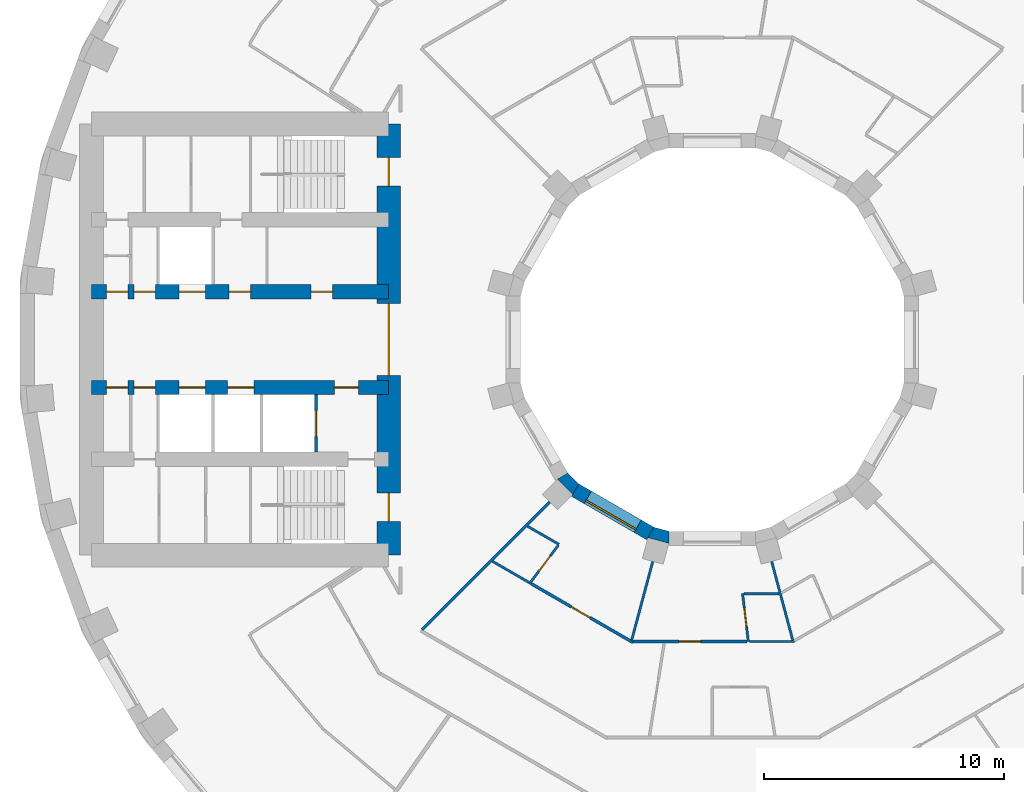
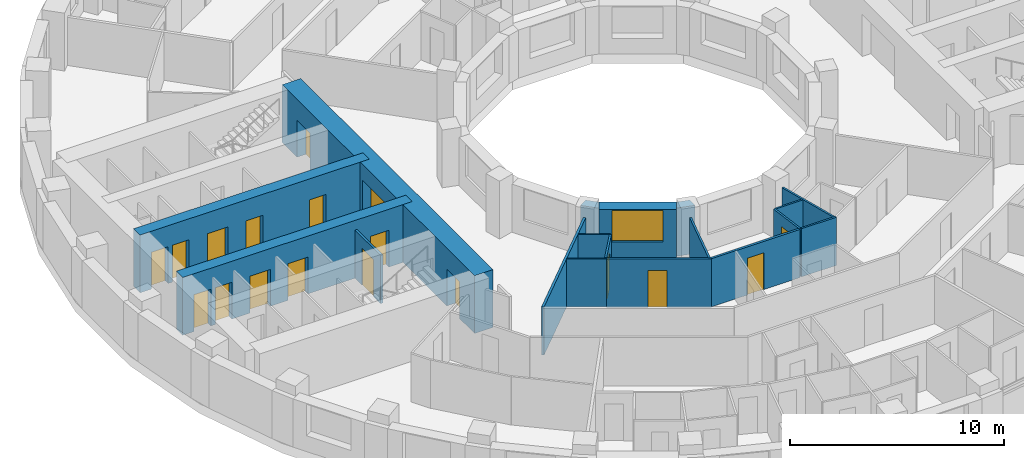
# One storey, part 7 of 16: 18 doors, 18 walls, 1 window, 19 openings.
"""IFC4 building model written with IfcOpenShell, lengths in metres."""

import ifcopenshell
import ifcopenshell.guid

model = None  # the IFC model being written
_history = None  # IfcOwnerHistory: only IFC2X3 demands one
_inside = {}  # id of a spatial element -> (the spatial element, [elements in it])
_under = {}  # id of a project, library or spatial element -> (it, [spatial elements below it])
_declared = {}  # id of a project -> (the project, [libraries it declares])
_typed = {}  # id of a type object -> (the type object, [elements of that type])
_made_of = {}  # id of a material, layer set ... -> (it, [elements and type objects made of it])


def new_model(schema):
    """Start an empty IFC model of exactly this schema.

    Asked for "IFC4X3", IfcOpenShell would pick the latest addendum, in which some entities
    have other attributes; the version numbers below select the first issue.
    IFC2X3 requires an IfcOwnerHistory on every rooted entity: one is made here for all.
    """
    global model, _history
    if schema == "IFC4X3":
        model = ifcopenshell.file(schema_version=(4, 3, 0, 0))
    else:
        model = ifcopenshell.file(schema=schema)
    _inside.clear()
    _under.clear()
    _declared.clear()
    _typed.clear()
    _made_of.clear()
    _history = None
    if model.schema == "IFC2X3":
        org = make("IfcOrganization", Name="unknown")
        user = make(
            "IfcPersonAndOrganization",
            ThePerson=make("IfcPerson", FamilyName="unknown"),
            TheOrganization=org,
        )
        app = make(
            "IfcApplication",
            ApplicationDeveloper=org,
            Version="unknown",
            ApplicationFullName="unknown",
            ApplicationIdentifier="unknown",
        )
        _history = make(
            "IfcOwnerHistory",
            OwningUser=user,
            OwningApplication=app,
            ChangeAction="ADDED",
            CreationDate=0,
        )
    return model


def make(cls, **values):
    """One entity of the class cls with the attributes given. An attribute that is None is left unset."""
    return model.create_entity(
        cls, **{name: value for name, value in values.items() if value is not None}
    )


def rooted(cls, **values):
    """An entity with a GlobalId (a new one), such as an element, a storey or a relation."""
    return make(cls, GlobalId=ifcopenshell.guid.new(), OwnerHistory=_history, **values)


def si_unit(unit_type, name, prefix=None):
    """IfcSIUnit, for example si_unit("LENGTHUNIT", "METRE", prefix="MILLI")."""
    return make("IfcSIUnit", UnitType=unit_type, Prefix=prefix, Name=name)


def assignment(units):
    """IfcUnitAssignment: the units of a project."""
    return None if units is None else make("IfcUnitAssignment", Units=units)


def point(xyz):
    """IfcCartesianPoint."""
    return None if xyz is None else make("IfcCartesianPoint", Coordinates=xyz)


def direction(xyz):
    """IfcDirection."""
    return None if xyz is None else make("IfcDirection", DirectionRatios=xyz)


def frame(location, z_axis=None, x_axis=None):
    """IfcAxis2Placement3D, a coordinate frame: its origin and axes. An axis left out is left unset."""
    return make(
        "IfcAxis2Placement3D",
        Location=point(location),
        Axis=direction(z_axis),
        RefDirection=direction(x_axis),
    )


def frame_2d(location, x_axis=None):
    """IfcAxis2Placement2D, a coordinate frame in the plane: its origin and x axis."""
    return make(
        "IfcAxis2Placement2D", Location=point(location), RefDirection=direction(x_axis)
    )


def origin():
    """The frame at (0, 0, 0) with its axes left unset."""
    return frame((0.0, 0.0, 0.0))


def place(relative_to, where):
    """IfcLocalPlacement: puts the frame where relative to a parent placement (None: the world)."""
    return make(
        "IfcLocalPlacement", PlacementRelTo=relative_to, RelativePlacement=where
    )


def context(
    kind, dimensions, precision=None, world=None, true_north=None, identifier=None
):
    """IfcGeometricRepresentationContext, for example the 3D "Model" context."""
    return make(
        "IfcGeometricRepresentationContext",
        ContextIdentifier=identifier,
        ContextType=kind,
        CoordinateSpaceDimension=dimensions,
        Precision=precision,
        WorldCoordinateSystem=world,
        TrueNorth=true_north,
    )


def subcontext(parent, identifier, kind, view, scale=None):
    """IfcGeometricRepresentationSubContext, for example "Body" below "Model"."""
    return make(
        "IfcGeometricRepresentationSubContext",
        ContextIdentifier=identifier,
        ContextType=kind,
        ParentContext=parent,
        TargetScale=scale,
        TargetView=view,
    )


def project(units=None, contexts=None):
    """IfcProject with its units and contexts."""
    return rooted(
        "IfcProject",
        Name="project",
        RepresentationContexts=contexts,
        UnitsInContext=assignment(units),
    )


def spatial(cls, under=None, at=None, **own):
    """A site, building, storey or space (cls), placed at a placement, below another one or the project."""
    s = rooted(cls, ObjectPlacement=at, **own)
    if under is not None:
        _under.setdefault(under.id(), (under, []))[1].append(s)
    return s


def polyline(points):
    """IfcPolyline through the points."""
    return make("IfcPolyline", Points=[point(p) for p in points])


def profile(cls, at=None, kind="AREA", **sizes):
    """A parametric profile (cls). Its sizes go by their IFC names, for example OverallWidth=200.0."""
    return make(cls, ProfileType=kind, Position=at, **sizes)


def rectangle(**sizes):
    """IfcRectangleProfileDef."""
    return profile("IfcRectangleProfileDef", **sizes)


def outline(outer, holes=None, kind="AREA"):
    """IfcArbitraryClosedProfileDef: a profile drawn as a closed curve; with holes, ...WithVoids."""
    if holes is None:
        return make("IfcArbitraryClosedProfileDef", ProfileType=kind, OuterCurve=outer)
    return make(
        "IfcArbitraryProfileDefWithVoids",
        ProfileType=kind,
        OuterCurve=outer,
        InnerCurves=holes,
    )


def extrude(swept, where, along, depth):
    """IfcExtrudedAreaSolid: the profile swept, set in the frame where, extruded along a direction by depth."""
    return make(
        "IfcExtrudedAreaSolid",
        SweptArea=swept,
        Position=where,
        ExtrudedDirection=direction(along),
        Depth=depth,
    )


def shape(context_of_items, identifier, shape_type, items):
    """IfcShapeRepresentation: the items that make up one representation, for example the "Body"."""
    return make(
        "IfcShapeRepresentation",
        ContextOfItems=context_of_items,
        RepresentationIdentifier=identifier,
        RepresentationType=shape_type,
        Items=items,
    )


def material(Name=None, Category=None):
    """IfcMaterial."""
    return make("IfcMaterial", Name=Name, Category=Category)


def layer(
    of_material, thickness, ventilated=None, Name=None, Category=None, Priority=None
):
    """IfcMaterialLayer: one layer of a wall or slab, of a material (None: an air gap)."""
    return make(
        "IfcMaterialLayer",
        Material=of_material,
        LayerThickness=thickness,
        IsVentilated=ventilated,
        Name=Name,
        Category=Category,
        Priority=Priority,
    )


def layer_set(layers, Name=None):
    """IfcMaterialLayerSet."""
    return make("IfcMaterialLayerSet", MaterialLayers=layers, LayerSetName=Name)


def made_of(thing, what):
    """Note that an element or type object is made of a material, layer set ...; save() writes the relation."""
    if what is not None:
        _made_of.setdefault(what.id(), (what, []))[1].append(thing)
    return thing


def type_object(cls, material=None, **own):
    """A type object (cls), such as IfcWallType, which elements share."""
    return made_of(rooted(cls, **own), material)


def element(
    cls,
    number,
    at=None,
    inside=None,
    cuts=None,
    type_object=None,
    material=None,
    context=None,
    identifier="Body",
    shape_type=None,
    held_by="IfcProductDefinitionShape",
    body=None,
    shapes=None,
    **own,
):
    """One element of the class cls, such as IfcWall. Its Tag is "e" and its number.

    at: its placement. inside: the storey or other place that contains it. cuts: it is an
    opening in that element (IfcRelVoidsElement). A single representation is given by context,
    identifier, shape_type and body (its items); several are given by shapes. held_by: the class
    of the entity that holds the representations. save() writes the other relations.
    """
    e = rooted(cls, Tag="e%d" % number, ObjectPlacement=at, **own)
    if body is not None:
        shapes = [shape(context, identifier, shape_type, body)]
    if shapes is not None:
        e.Representation = make(held_by, Representations=shapes)
    if inside is not None:
        _inside.setdefault(inside.id(), (inside, []))[1].append(e)
    if cuts is not None:
        rooted(
            "IfcRelVoidsElement", RelatingBuildingElement=cuts, RelatedOpeningElement=e
        )
    if type_object is not None:
        _typed.setdefault(type_object.id(), (type_object, []))[1].append(e)
    return made_of(e, material)


def fill(opening, filler):
    """IfcRelFillsElement: the door or window that sits in an opening."""
    return rooted(
        "IfcRelFillsElement",
        RelatingOpeningElement=opening,
        RelatedBuildingElement=filler,
    )


def aggregate(whole, parts):
    """IfcRelAggregates: a whole, such as a stair, and the parts it consists of."""
    return rooted("IfcRelAggregates", RelatingObject=whole, RelatedObjects=parts)


def save(model, path):
    """Write the relations noted so far, then the file.

    IfcRelAggregates (storeys below a building ...), IfcRelContainedInSpatialStructure (elements
    in a storey), IfcRelDefinesByType, IfcRelAssociatesMaterial and IfcRelDeclares: one each for
    every whole, place, type object, material and project.
    """
    for whole, parts in _under.values():
        aggregate(whole, parts)
    for where, things in _inside.values():
        rooted(
            "IfcRelContainedInSpatialStructure",
            RelatedElements=things,
            RelatingStructure=where,
        )
    for kind, things in _typed.values():
        rooted("IfcRelDefinesByType", RelatedObjects=things, RelatingType=kind)
    for what, things in _made_of.values():
        rooted("IfcRelAssociatesMaterial", RelatedObjects=things, RelatingMaterial=what)
    for by, libraries in _declared.values():
        rooted("IfcRelDeclares", RelatingContext=by, RelatedDefinitions=libraries)
    model.write(path)


model = new_model("IFC4")

# Units and contexts
model_context = context("Model", 3, precision=1e-05, world=origin(), true_north=direction((0.0, 1.0)))
body_context = subcontext(model_context, "Body", "Model", "MODEL_VIEW")
ifc_project = project(units=[si_unit("LENGTHUNIT", "METRE"), si_unit("AREAUNIT", "SQUARE_METRE"), si_unit("VOLUMEUNIT", "CUBIC_METRE"), si_unit("PLANEANGLEUNIT", "RADIAN"), si_unit("MASSUNIT", "GRAM", prefix="KILO")], contexts=[model_context])

# Site, building, storey
site_placement = place(None, origin())
site = spatial("IfcSite", under=ifc_project, at=site_placement, CompositionType="ELEMENT")
building_placement = place(site_placement, origin())
building = spatial("IfcBuilding", under=site, at=building_placement, Name="Saqina Gate Tower", CompositionType="ELEMENT")
storey_placement = place(building_placement, frame((0.0, 0.0, 32.89990234375)))
storey = spatial("IfcBuildingStorey", under=building, at=storey_placement, Name="L08", CompositionType="ELEMENT", Elevation=32.89990234375)

# Wall, opening, window
ifc_material_1 = material(Name="Glazed ceramic tile", Category="ceramic")
ifc_layer_1 = layer(ifc_material_1, 0.60009765625)
ifc_layer_set_1 = layer_set([ifc_layer_1], Name="IW-TILE")
wall_type_1 = type_object("IfcWallType", Name="IW-TILE", PredefinedType="SOLIDWALL", material=ifc_layer_set_1)
wall_1_placement = place(storey_placement, frame((-5.7197265625, -6.28173828125, 0.0), z_axis=(0.0, 0.0, 1.0), x_axis=(0.866029693906, -0.499992569217, 0.0)))
wall_1 = element("IfcWall", 1, at=wall_1_placement, inside=storey, type_object=wall_type_1, Name="Well wall L08 facet 8", PredefinedType="SOLIDWALL", context=body_context, shape_type="SweptSolid", body=[
    extrude(rectangle(XDim=3.625, YDim=0.60009765625, at=frame_2d((1.8125, 0.0))), origin(), (0.0, 0.0, 1.0), 2.75),
])
opening_1_placement = place(wall_1_placement, frame((0.612548828125, 0.0, 0.89990234375)))
opening_1 = element("IfcOpeningElement", 2, at=opening_1_placement, cuts=wall_1, Name="Opening G01-W30", PredefinedType="OPENING", context=body_context, shape_type="SweptSolid", body=[
    extrude(rectangle(XDim=2.39990234375, YDim=1.800048828125, at=frame_2d((1.199951171875, 0.89990234375))), frame((0.0, 0.31201171875, 0.0), z_axis=(0.0, -1.0, 0.0), x_axis=(1.0, 0.0, 0.0)), (0.0, 0.0, 1.0), 0.6240234375),
])
ifc_material_2 = material(Name="Aluminium glazing", Category="aluminium")
window_type = type_object("IfcWindowType", Name="WN-W", PartitioningType="SINGLE_PANEL", PredefinedType="WINDOW", material=ifc_material_2)
window_placement = place(opening_1_placement, origin())
window = element("IfcWindow", 3, at=window_placement, inside=storey, type_object=window_type, Name="Well window L08 facet 8", OverallHeight=1.800048828125, OverallWidth=2.39990234375, PartitioningType="SINGLE_PANEL", PredefinedType="WINDOW", context=body_context, shape_type="SweptSolid", body=[
    extrude(rectangle(XDim=2.39990234375, YDim=1.800048828125, at=frame_2d((1.199951171875, 0.89990234375))), frame((0.0, -0.119873046875, 0.0), z_axis=(0.0, -1.0, 0.0), x_axis=(1.0, 0.0, 0.0)), (0.0, 0.0, 1.0), 0.06005859375),
])
fill(opening_1, window)

# Wall, opening, door
ifc_material_3 = material(Name="Gypsum board on steel studs, 100 mm", Category="steel")
ifc_layer_2 = layer(ifc_material_3, 0.10009765625)
ifc_layer_set_2 = layer_set([ifc_layer_2], Name="PARTITION 100")
wall_type_2 = type_object("IfcWallType", Name="PARTITION 100", PredefinedType="PARTITIONING", material=ifc_layer_set_2)
wall_2_placement = place(storey_placement, frame((1.26708984375, -10.60009765625, 0.0), z_axis=(0.0, 0.0, 1.0), x_axis=(0.11866247814, -0.992934648545, 0.0)))
wall_2 = element("IfcWall", 4, at=wall_2_placement, inside=storey, type_object=wall_type_2, Name="PARTITION PW3-06", PredefinedType="PARTITIONING", context=body_context, shape_type="SweptSolid", body=[
    extrude(rectangle(XDim=2.01416015625, YDim=0.10009765625, at=frame_2d((1.007080078125, 0.0))), origin(), (0.0, 0.0, 1.0), 2.75),
])
opening_2_placement = place(wall_2_placement, frame((0.607177734375, 0.0, 0.0)))
opening_2 = element("IfcOpeningElement", 5, at=opening_2_placement, cuts=wall_2, Name="Opening G01-D58", PredefinedType="OPENING", context=body_context, shape_type="SweptSolid", body=[
    extrude(rectangle(XDim=0.800048828125, YDim=2.10009765625, at=frame_2d((0.39990234375, 1.050048828125))), frame((0.0, 0.06201171875, 0.0), z_axis=(0.0, -1.0, 0.0), x_axis=(1.0, 0.0, 0.0)), (0.0, 0.0, 1.0), 0.1240234375),
])
ifc_material_4 = material(Name="Timber door leaf, 800 mm", Category="wood")
door_type_1 = type_object("IfcDoorType", Name="DOOR 800 TIMBER", OperationType="SINGLE_SWING_LEFT", PredefinedType="DOOR", material=ifc_material_4)
door_1_placement = place(opening_2_placement, frame((0.800048828125, 0.0, 0.0), z_axis=(0.0, 0.0, 1.0), x_axis=(-1.0, 0.0, 0.0)))
door_1 = element("IfcDoor", 6, at=door_1_placement, inside=storey, type_object=door_type_1, Name="DOOR G01-D58", OperationType="SINGLE_SWING_LEFT", OverallHeight=2.10009765625, OverallWidth=0.800048828125, PredefinedType="DOOR", context=body_context, shape_type="SweptSolid", body=[
    extrude(rectangle(XDim=0.800048828125, YDim=2.10009765625, at=frame_2d((0.39990234375, 1.050048828125))), frame((0.0, 0.02490234375, 0.0), z_axis=(0.0, -1.0, 0.0), x_axis=(1.0, 0.0, 0.0)), (0.0, 0.0, 1.0), 0.050048828125),
])
fill(opening_2, door_1)

# Walls
wall_3_placement = place(storey_placement, frame((2.48291015625, -9.265380859375, 0.0), z_axis=(0.0, 0.0, 1.0), x_axis=(0.258846086109, -0.965918580268, 0.0)))
element("IfcWall", 7, at=wall_3_placement, inside=storey, type_object=wall_type_2, Name="PARTITION PW3-14", PredefinedType="PARTITIONING", context=body_context, shape_type="SweptSolid", body=[
    extrude(rectangle(XDim=3.402099609375, YDim=0.10009765625, at=frame_2d((1.701171875, 0.0))), origin(), (0.0, 0.0, 1.0), 2.75),
])
wall_4_placement = place(storey_placement, frame((-9.169921875, -9.255126953125, 0.0), z_axis=(0.0, 0.0, 1.0), x_axis=(0.866043361281, -0.499968895414, 0.0)))
element("IfcWall", 8, at=wall_4_placement, inside=storey, type_object=wall_type_2, Name="PARTITION PW3-39", PredefinedType="PARTITIONING", context=body_context, shape_type="SweptSolid", body=[
    extrude(rectangle(XDim=1.85791015625, YDim=0.10009765625, at=frame_2d((0.928955078125, 0.0))), origin(), (0.0, 0.0, 1.0), 2.75),
])
wall_5_placement = place(storey_placement, frame((-7.705810546875, -7.791259765625, 0.0), z_axis=(0.0, 0.0, 1.0), x_axis=(0.866317379693, -0.499493941547, 0.0)))
element("IfcWall", 9, at=wall_5_placement, inside=storey, type_object=wall_type_2, Name="PARTITION PW3-40", PredefinedType="PARTITIONING", context=body_context, shape_type="SweptSolid", body=[
    extrude(rectangle(XDim=1.5107421875, YDim=0.10009765625, at=frame_2d((0.75537109375, 0.0))), origin(), (0.0, 0.0, 1.0), 2.75),
])
wall_6_placement = place(storey_placement, frame((1.555908203125, -12.60009765625, 0.0), z_axis=(0.0, 0.0, 1.0), x_axis=(1.0, 0.0, 0.0)))
element("IfcWall", 10, at=wall_6_placement, inside=storey, type_object=wall_type_2, Name="PARTITION PW3-59", PredefinedType="PARTITIONING", context=body_context, shape_type="SweptSolid", body=[
    extrude(rectangle(XDim=1.8779296875, YDim=0.10009765625, at=frame_2d((0.93896484375, 0.0))), origin(), (0.0, 0.0, 1.0), 2.75),
])
wall_7_placement = place(storey_placement, frame((1.31689453125, -10.60009765625, 0.0), z_axis=(0.0, 0.0, 1.0), x_axis=(1.0, 0.0, 0.0)))
element("IfcWall", 11, at=wall_7_placement, inside=storey, type_object=wall_type_2, Name="PARTITION PW3-60", PredefinedType="PARTITIONING", context=body_context, shape_type="SweptSolid", body=[
    extrude(rectangle(XDim=1.47314453125, YDim=0.10009765625, at=frame_2d((0.736572265625, 0.0))), origin(), (0.0, 0.0, 1.0), 2.75),
])

# Wall, opening, door
wall_8_placement = place(storey_placement, frame((-7.566650390625, -10.10888671875, 0.0), z_axis=(0.0, 0.0, 1.0), x_axis=(0.599137140235, 0.800646418334, 0.0)))
wall_8 = element("IfcWall", 12, at=wall_8_placement, inside=storey, type_object=wall_type_2, Name="PARTITION PW3-96", PredefinedType="PARTITIONING", context=body_context, shape_type="SweptSolid", body=[
    extrude(rectangle(XDim=1.902099609375, YDim=0.10009765625, at=frame_2d((0.951171875, 0.0))), origin(), (0.0, 0.0, 1.0), 2.75),
])
opening_3_placement = place(wall_8_placement, frame((0.544921875, 0.0, 0.0)))
opening_3 = element("IfcOpeningElement", 13, at=opening_3_placement, cuts=wall_8, Name="Opening G01-D42", PredefinedType="OPENING", context=body_context, shape_type="SweptSolid", body=[
    extrude(rectangle(XDim=0.800048828125, YDim=2.10009765625, at=frame_2d((0.39990234375, 1.050048828125))), frame((0.0, 0.06201171875, 0.0), z_axis=(0.0, -1.0, 0.0), x_axis=(1.0, 0.0, 0.0)), (0.0, 0.0, 1.0), 0.1240234375),
])
door_2_placement = place(opening_3_placement, frame((0.800048828125, 0.0, 0.0), z_axis=(0.0, 0.0, 1.0), x_axis=(-1.0, 0.0, 0.0)))
door_2 = element("IfcDoor", 14, at=door_2_placement, inside=storey, type_object=door_type_1, Name="DOOR G01-D42", OperationType="SINGLE_SWING_RIGHT", OverallHeight=2.10009765625, OverallWidth=0.800048828125, PredefinedType="DOOR", context=body_context, shape_type="SweptSolid", body=[
    extrude(rectangle(XDim=0.800048828125, YDim=2.10009765625, at=frame_2d((0.39990234375, 1.050048828125))), frame((0.0, 0.02490234375, 0.0), z_axis=(0.0, -1.0, 0.0), x_axis=(1.0, 0.0, 0.0)), (0.0, 0.0, 1.0), 0.050048828125),
])
fill(opening_3, door_2)

# Wall
wall_9_placement = place(storey_placement, frame((-3.35986328125, -12.53955078125, 0.0), z_axis=(0.0, 0.0, 1.0), x_axis=(0.258787687785, 0.965934227911, 0.0)))
element("IfcWall", 15, at=wall_9_placement, inside=storey, type_object=wall_type_2, Name="PARTITION PW3-109", PredefinedType="PARTITIONING", context=body_context, shape_type="SweptSolid", body=[
    extrude(rectangle(XDim=3.3896484375, YDim=0.10009765625, at=frame_2d((1.69482421875, 0.0))), origin(), (0.0, 0.0, 1.0), 2.75),
])

# Wall, opening, door
ifc_material_5 = material(Name="Gypsum board on steel studs, 125 mm, fire rated", Category="steel")
ifc_layer_3 = layer(ifc_material_5, 0.125)
ifc_layer_set_3 = layer_set([ifc_layer_3], Name="PARTITION EI 30 125")
wall_type_3 = type_object("IfcWallType", Name="PARTITION EI 30 125", PredefinedType="PARTITIONING", material=ifc_layer_set_3)
wall_10_placement = place(storey_placement, frame((-7.560791015625, -10.18408203125, 0.0), z_axis=(0.0, 0.0, 1.0), x_axis=(0.86605046449, -0.499956591072, 0.0)))
wall_10 = element("IfcWall", 16, at=wall_10_placement, inside=storey, type_object=wall_type_3, Name="PARTITION PW1-16", PredefinedType="PARTITIONING", context=body_context, shape_type="SweptSolid", body=[
    extrude(rectangle(XDim=4.904296875, YDim=0.125, at=frame_2d((2.4521484375, 0.0))), origin(), (0.0, 0.0, 1.0), 2.75),
])
opening_4_placement = place(wall_10_placement, frame((1.94091796875, 0.0, 0.0)))
opening_4 = element("IfcOpeningElement", 17, at=opening_4_placement, cuts=wall_10, Name="Opening G01-D45", PredefinedType="OPENING", context=body_context, shape_type="SweptSolid", body=[
    extrude(rectangle(XDim=0.89990234375, YDim=2.10009765625, at=frame_2d((0.449951171875, 1.050048828125))), frame((0.0, 0.074462890625, 0.0), z_axis=(0.0, -1.0, 0.0), x_axis=(1.0, 0.0, 0.0)), (0.0, 0.0, 1.0), 0.14892578125),
])
ifc_material_6 = material(Name="Fire door leaf EI 30, 900 mm")
door_type_2 = type_object("IfcDoorType", Name="DOOR 900 EI 30", OperationType="SINGLE_SWING_LEFT", PredefinedType="DOOR", material=ifc_material_6)
door_3_placement = place(opening_4_placement, frame((0.89990234375, 0.0, 0.0), z_axis=(0.0, 0.0, 1.0), x_axis=(-1.0, 0.0, 0.0)))
door_3 = element("IfcDoor", 18, at=door_3_placement, inside=storey, type_object=door_type_2, Name="DOOR G01-D45", OperationType="SINGLE_SWING_RIGHT", OverallHeight=2.10009765625, OverallWidth=0.89990234375, PredefinedType="DOOR", context=body_context, shape_type="SweptSolid", body=[
    extrude(rectangle(XDim=0.89990234375, YDim=2.10009765625, at=frame_2d((0.449951171875, 1.050048828125))), frame((0.0, 0.02490234375, 0.0), z_axis=(0.0, -1.0, 0.0), x_axis=(1.0, 0.0, 0.0)), (0.0, 0.0, 1.0), 0.050048828125),
])
fill(opening_4, door_3)

wall_11_placement = place(storey_placement, frame((-3.3134765625, -12.60009765625, 0.0), z_axis=(0.0, 0.0, 1.0), x_axis=(1.0, 0.0, 0.0)))
wall_11 = element("IfcWall", 19, at=wall_11_placement, inside=storey, type_object=wall_type_3, Name="PARTITION PW1-28", PredefinedType="PARTITIONING", context=body_context, shape_type="SweptSolid", body=[
    extrude(rectangle(XDim=4.76953125, YDim=0.125, at=frame_2d((2.384765625, 0.0))), origin(), (0.0, 0.0, 1.0), 2.75),
])
opening_5_placement = place(wall_11_placement, frame((1.928466796875, 0.0, 0.0)))
opening_5 = element("IfcOpeningElement", 20, at=opening_5_placement, cuts=wall_11, Name="Opening G01-D53", PredefinedType="OPENING", context=body_context, shape_type="SweptSolid", body=[
    extrude(rectangle(XDim=0.89990234375, YDim=2.10009765625, at=frame_2d((0.449951171875, 1.050048828125))), frame((0.0, 0.074462890625, 0.0), z_axis=(0.0, -1.0, 0.0), x_axis=(1.0, 0.0, 0.0)), (0.0, 0.0, 1.0), 0.14892578125),
])
door_4_placement = place(opening_5_placement, frame((0.89990234375, 0.0, 0.0), z_axis=(0.0, 0.0, 1.0), x_axis=(-1.0, 0.0, 0.0)))
door_4 = element("IfcDoor", 21, at=door_4_placement, inside=storey, type_object=door_type_2, Name="DOOR G01-D53", OperationType="SINGLE_SWING_RIGHT", OverallHeight=2.10009765625, OverallWidth=0.89990234375, PredefinedType="DOOR", context=body_context, shape_type="SweptSolid", body=[
    extrude(rectangle(XDim=0.89990234375, YDim=2.10009765625, at=frame_2d((0.449951171875, 1.050048828125))), frame((0.0, 0.02490234375, 0.0), z_axis=(0.0, -1.0, 0.0), x_axis=(1.0, 0.0, 0.0)), (0.0, 0.0, 1.0), 0.050048828125),
])
fill(opening_5, door_4)

# Wall
wall_12_placement = place(storey_placement, frame((-12.10791015625, -12.10791015625, 0.0), z_axis=(0.0, 0.0, 1.0), x_axis=(0.707106781187, 0.707106781187, 0.0)))
element("IfcWall", 22, at=wall_12_placement, inside=storey, type_object=wall_type_3, Name="PARTITION PW1-47", PredefinedType="PARTITIONING", context=body_context, shape_type="SweptSolid", body=[
    extrude(rectangle(XDim=7.531005859375, YDim=0.125, at=frame_2d((3.765625, 0.0))), origin(), (0.0, 0.0, 1.0), 2.75),
])

# Wall, opening, door
ifc_material_7 = material(Name="Autoclaved aerated concrete block", Category="concrete")
ifc_layer_4 = layer(ifc_material_7, 0.1201171875)
ifc_layer_set_4 = layer_set([ifc_layer_4], Name="SHAFT PARTITION")
wall_type_4 = type_object("IfcWallType", Name="SHAFT PARTITION", PredefinedType="PARTITIONING", material=ifc_layer_set_4)
wall_13_placement = place(storey_placement, frame((-16.530029296875, -4.699951171875, 0.0), z_axis=(0.0, 0.0, 1.0), x_axis=(0.0, 1.0, 0.0)))
wall_13 = element("IfcWall", 23, at=wall_13_placement, inside=storey, type_object=wall_type_4, Name="L08-CP-W05", PredefinedType="PARTITIONING", context=body_context, shape_type="SweptSolid", body=[
    extrude(rectangle(XDim=2.39990234375, YDim=0.1201171875, at=frame_2d((1.199951171875, 0.0))), origin(), (0.0, 0.0, 1.0), 2.75),
])
opening_6_placement = place(wall_13_placement, frame((0.64990234375, 0.0, 0.0)))
opening_6 = element("IfcOpeningElement", 24, at=opening_6_placement, cuts=wall_13, Name="Opening G01-LD6", PredefinedType="OPENING", context=body_context, shape_type="SweptSolid", body=[
    extrude(rectangle(XDim=1.10009765625, YDim=2.10009765625, at=frame_2d((0.550048828125, 1.050048828125))), frame((0.0, 0.072021484375, 0.0), z_axis=(0.0, -1.0, 0.0), x_axis=(1.0, 0.0, 0.0)), (0.0, 0.0, 1.0), 0.14404296875),
])
ifc_material_8 = material(Name="Stainless steel", Category="steel")
door_type_3 = type_object("IfcDoorType", Name="LANDING DOOR", OperationType="DOUBLE_DOOR_SLIDING", PredefinedType="DOOR", material=ifc_material_8)
door_5_placement = place(opening_6_placement, origin())
door_5 = element("IfcDoor", 25, at=door_5_placement, inside=storey, type_object=door_type_3, Name="LANDING DOOR FF2", OperationType="DOUBLE_DOOR_SLIDING", OverallHeight=2.10009765625, OverallWidth=1.10009765625, PredefinedType="DOOR", context=body_context, shape_type="SweptSolid", body=[
    extrude(rectangle(XDim=1.10009765625, YDim=2.10009765625, at=frame_2d((0.550048828125, 1.050048828125))), frame((0.0, 0.02490234375, 0.0), z_axis=(0.0, -1.0, 0.0), x_axis=(1.0, 0.0, 0.0)), (0.0, 0.0, 1.0), 0.050048828125),
])
fill(opening_6, door_5)

# Wall, openings, doors
ifc_material_9 = material(Name="Concrete C70/85", Category="concrete")
ifc_layer_5 = layer(ifc_material_9, 0.60009765625)
ifc_layer_set_5 = layer_set([ifc_layer_5], Name="Concrete C70/85")
wall_type_5 = type_object("IfcWallType", Name="STR-CORE WALL-A-I", PredefinedType="SHEAR", material=ifc_layer_set_5)
wall_14_placement = place(storey_placement, frame((-13.5, 2.0, 0.0), z_axis=(0.0, 0.0, 1.0), x_axis=(-1.0, 0.0, 0.0)))
wall_14 = element("IfcWall", 26, at=wall_14_placement, inside=storey, type_object=wall_type_5, Name="CORE WALL L08 W-L1", PredefinedType="SHEAR", context=body_context, shape_type="SweptSolid", body=[
    extrude(rectangle(XDim=12.39990234375, YDim=0.60009765625, at=frame_2d((6.199951171875, 0.0))), origin(), (0.0, 0.0, 1.0), 3.300048828125),
])
opening_7_placement = place(wall_14_placement, frame((7.64990234375, 0.0, 0.0)))
opening_7 = element("IfcOpeningElement", 27, at=opening_7_placement, cuts=wall_14, Name="Opening G01-LD5", PredefinedType="OPENING", context=body_context, shape_type="SweptSolid", body=[
    extrude(rectangle(XDim=1.10009765625, YDim=2.10009765625, at=frame_2d((0.550048828125, 1.050048828125))), frame((0.0, 0.31201171875, 0.0), z_axis=(0.0, -1.0, 0.0), x_axis=(1.0, 0.0, 0.0)), (0.0, 0.0, 1.0), 0.6240234375),
])
opening_8_placement = place(wall_14_placement, frame((2.34130859375, 0.0, 0.0)))
opening_8 = element("IfcOpeningElement", 28, at=opening_8_placement, cuts=wall_14, Name="Opening G01-D108", PredefinedType="OPENING", context=body_context, shape_type="SweptSolid", body=[
    extrude(rectangle(XDim=0.89990234375, YDim=2.10009765625, at=frame_2d((0.449951171875, 1.050048828125))), frame((0.0, 0.31201171875, 0.0), z_axis=(0.0, -1.0, 0.0), x_axis=(1.0, 0.0, 0.0)), (0.0, 0.0, 1.0), 0.6240234375),
])
opening_9_placement = place(wall_14_placement, frame((5.761474609375, 0.0, 0.0)))
opening_9 = element("IfcOpeningElement", 29, at=opening_9_placement, cuts=wall_14, Name="Opening G01-D109", PredefinedType="OPENING", context=body_context, shape_type="SweptSolid", body=[
    extrude(rectangle(XDim=0.89990234375, YDim=2.10009765625, at=frame_2d((0.449951171875, 1.050048828125))), frame((0.0, 0.31201171875, 0.0), z_axis=(0.0, -1.0, 0.0), x_axis=(1.0, 0.0, 0.0)), (0.0, 0.0, 1.0), 0.6240234375),
])
opening_10_placement = place(wall_14_placement, frame((9.739990234375, 0.0, 0.0)))
opening_10 = element("IfcOpeningElement", 30, at=opening_10_placement, cuts=wall_14, Name="Opening G01-D110", PredefinedType="OPENING", context=body_context, shape_type="SweptSolid", body=[
    extrude(rectangle(XDim=0.89990234375, YDim=2.10009765625, at=frame_2d((0.449951171875, 1.050048828125))), frame((0.0, 0.31201171875, 0.0), z_axis=(0.0, -1.0, 0.0), x_axis=(1.0, 0.0, 0.0)), (0.0, 0.0, 1.0), 0.6240234375),
])
opening_11_placement = place(wall_14_placement, frame((10.8798828125, 0.0, 0.0)))
opening_11 = element("IfcOpeningElement", 31, at=opening_11_placement, cuts=wall_14, Name="Opening G01-D111", PredefinedType="OPENING", context=body_context, shape_type="SweptSolid", body=[
    extrude(rectangle(XDim=0.89990234375, YDim=2.10009765625, at=frame_2d((0.449951171875, 1.050048828125))), frame((0.0, 0.31201171875, 0.0), z_axis=(0.0, -1.0, 0.0), x_axis=(1.0, 0.0, 0.0)), (0.0, 0.0, 1.0), 0.6240234375),
])
door_6_placement = place(opening_7_placement, origin())
door_6 = element("IfcDoor", 32, at=door_6_placement, inside=storey, type_object=door_type_3, Name="LANDING DOOR LR4", OperationType="DOUBLE_DOOR_SLIDING", OverallHeight=2.10009765625, OverallWidth=1.10009765625, PredefinedType="DOOR", context=body_context, shape_type="SweptSolid", body=[
    extrude(rectangle(XDim=1.10009765625, YDim=2.10009765625, at=frame_2d((0.550048828125, 1.050048828125))), frame((0.0, 0.02490234375, 0.0), z_axis=(0.0, -1.0, 0.0), x_axis=(1.0, 0.0, 0.0)), (0.0, 0.0, 1.0), 0.050048828125),
])
fill(opening_7, door_6)
ifc_material_10 = material(Name="Steel-framed fire door leaf, EI 60", Category="steel")
door_type_4 = type_object("IfcDoorType", Name="SERVICE ROOM DOOR 900", OperationType="SINGLE_SWING_LEFT", PredefinedType="DOOR", material=ifc_material_10)
door_7_placement = place(opening_8_placement, frame((0.89990234375, 0.0, 0.0), z_axis=(0.0, 0.0, 1.0), x_axis=(-1.0, 0.0, 0.0)))
door_7 = element("IfcDoor", 33, at=door_7_placement, inside=storey, type_object=door_type_4, Name="L08-CD-W19", OperationType="SINGLE_SWING_RIGHT", OverallHeight=2.10009765625, OverallWidth=0.89990234375, PredefinedType="DOOR", context=body_context, shape_type="SweptSolid", body=[
    extrude(rectangle(XDim=0.89990234375, YDim=2.10009765625, at=frame_2d((0.449951171875, 1.050048828125))), frame((0.0, 0.02490234375, 0.0), z_axis=(0.0, -1.0, 0.0), x_axis=(1.0, 0.0, 0.0)), (0.0, 0.0, 1.0), 0.050048828125),
])
fill(opening_8, door_7)
door_8_placement = place(opening_9_placement, frame((0.89990234375, 0.0, 0.0), z_axis=(0.0, 0.0, 1.0), x_axis=(-1.0, 0.0, 0.0)))
door_8 = element("IfcDoor", 34, at=door_8_placement, inside=storey, type_object=door_type_4, Name="L08-CD-W20", OperationType="SINGLE_SWING_LEFT", OverallHeight=2.10009765625, OverallWidth=0.89990234375, PredefinedType="DOOR", context=body_context, shape_type="SweptSolid", body=[
    extrude(rectangle(XDim=0.89990234375, YDim=2.10009765625, at=frame_2d((0.449951171875, 1.050048828125))), frame((0.0, 0.02490234375, 0.0), z_axis=(0.0, -1.0, 0.0), x_axis=(1.0, 0.0, 0.0)), (0.0, 0.0, 1.0), 0.050048828125),
])
fill(opening_9, door_8)
door_9_placement = place(opening_10_placement, frame((0.89990234375, 0.0, 0.0), z_axis=(0.0, 0.0, 1.0), x_axis=(-1.0, 0.0, 0.0)))
door_9 = element("IfcDoor", 35, at=door_9_placement, inside=storey, type_object=door_type_4, Name="L08-CD-W21", OperationType="SINGLE_SWING_RIGHT", OverallHeight=2.10009765625, OverallWidth=0.89990234375, PredefinedType="DOOR", context=body_context, shape_type="SweptSolid", body=[
    extrude(rectangle(XDim=0.89990234375, YDim=2.10009765625, at=frame_2d((0.449951171875, 1.050048828125))), frame((0.0, 0.02490234375, 0.0), z_axis=(0.0, -1.0, 0.0), x_axis=(1.0, 0.0, 0.0)), (0.0, 0.0, 1.0), 0.050048828125),
])
fill(opening_10, door_9)
door_10_placement = place(opening_11_placement, frame((0.89990234375, 0.0, 0.0), z_axis=(0.0, 0.0, 1.0), x_axis=(-1.0, 0.0, 0.0)))
door_10 = element("IfcDoor", 36, at=door_10_placement, inside=storey, type_object=door_type_4, Name="L08-CD-W22", OperationType="SINGLE_SWING_LEFT", OverallHeight=2.10009765625, OverallWidth=0.89990234375, PredefinedType="DOOR", context=body_context, shape_type="SweptSolid", body=[
    extrude(rectangle(XDim=0.89990234375, YDim=2.10009765625, at=frame_2d((0.449951171875, 1.050048828125))), frame((0.0, 0.02490234375, 0.0), z_axis=(0.0, -1.0, 0.0), x_axis=(1.0, 0.0, 0.0)), (0.0, 0.0, 1.0), 0.050048828125),
])
fill(opening_11, door_10)

wall_15_placement = place(storey_placement, frame((-13.5, -2.0, 0.0), z_axis=(0.0, 0.0, 1.0), x_axis=(-1.0, 0.0, 0.0)))
wall_15 = element("IfcWall", 37, at=wall_15_placement, inside=storey, type_object=wall_type_5, Name="CORE WALL L08 W-L2", PredefinedType="SHEAR", context=body_context, shape_type="SweptSolid", body=[
    extrude(rectangle(XDim=12.39990234375, YDim=0.60009765625, at=frame_2d((6.199951171875, 0.0))), origin(), (0.0, 0.0, 1.0), 3.300048828125),
])
opening_12_placement = place(wall_15_placement, frame((5.6201171875, 0.0, 0.0)))
opening_12 = element("IfcOpeningElement", 38, at=opening_12_placement, cuts=wall_15, Name="Opening G01-LD7", PredefinedType="OPENING", context=body_context, shape_type="SweptSolid", body=[
    extrude(rectangle(XDim=1.10009765625, YDim=2.10009765625, at=frame_2d((0.550048828125, 1.050048828125))), frame((0.0, 0.31201171875, 0.0), z_axis=(0.0, -1.0, 0.0), x_axis=(1.0, 0.0, 0.0)), (0.0, 0.0, 1.0), 0.6240234375),
])
opening_13_placement = place(wall_15_placement, frame((7.64990234375, 0.0, 0.0)))
opening_13 = element("IfcOpeningElement", 39, at=opening_13_placement, cuts=wall_15, Name="Opening G01-LD8", PredefinedType="OPENING", context=body_context, shape_type="SweptSolid", body=[
    extrude(rectangle(XDim=1.10009765625, YDim=2.10009765625, at=frame_2d((0.550048828125, 1.050048828125))), frame((0.0, 0.31201171875, 0.0), z_axis=(0.0, -1.0, 0.0), x_axis=(1.0, 0.0, 0.0)), (0.0, 0.0, 1.0), 0.6240234375),
])
opening_14_placement = place(wall_15_placement, frame((1.264892578125, 0.0, 0.0)))
opening_14 = element("IfcOpeningElement", 40, at=opening_14_placement, cuts=wall_15, Name="Opening G01-D112", PredefinedType="OPENING", context=body_context, shape_type="SweptSolid", body=[
    extrude(rectangle(XDim=1.0, YDim=2.10009765625, at=frame_2d((0.5, 1.050048828125))), frame((0.0, 0.31201171875, 0.0), z_axis=(0.0, -1.0, 0.0), x_axis=(1.0, 0.0, 0.0)), (0.0, 0.0, 1.0), 0.6240234375),
])
opening_15_placement = place(wall_15_placement, frame((9.739990234375, 0.0, 0.0)))
opening_15 = element("IfcOpeningElement", 41, at=opening_15_placement, cuts=wall_15, Name="Opening G01-D113", PredefinedType="OPENING", context=body_context, shape_type="SweptSolid", body=[
    extrude(rectangle(XDim=0.89990234375, YDim=2.10009765625, at=frame_2d((0.449951171875, 1.050048828125))), frame((0.0, 0.31201171875, 0.0), z_axis=(0.0, -1.0, 0.0), x_axis=(1.0, 0.0, 0.0)), (0.0, 0.0, 1.0), 0.6240234375),
])
opening_16_placement = place(wall_15_placement, frame((10.8798828125, 0.0, 0.0)))
opening_16 = element("IfcOpeningElement", 42, at=opening_16_placement, cuts=wall_15, Name="Opening G01-D114", PredefinedType="OPENING", context=body_context, shape_type="SweptSolid", body=[
    extrude(rectangle(XDim=0.89990234375, YDim=2.10009765625, at=frame_2d((0.449951171875, 1.050048828125))), frame((0.0, 0.31201171875, 0.0), z_axis=(0.0, -1.0, 0.0), x_axis=(1.0, 0.0, 0.0)), (0.0, 0.0, 1.0), 0.6240234375),
])
ifc_material_11 = material(Name="Steel", Category="steel")
door_type_5 = type_object("IfcDoorType", Name="FIRE LOBBY DOOR EI 60", OperationType="SINGLE_SWING_LEFT", PredefinedType="DOOR", material=ifc_material_11)
door_11_placement = place(opening_14_placement, frame((1.0, 0.0, 0.0), z_axis=(0.0, 0.0, 1.0), x_axis=(-1.0, 0.0, 0.0)))
door_11 = element("IfcDoor", 43, at=door_11_placement, inside=storey, type_object=door_type_5, Name="L08-CD-W23", OperationType="SINGLE_SWING_RIGHT", OverallHeight=2.10009765625, OverallWidth=1.0, PredefinedType="DOOR", context=body_context, shape_type="SweptSolid", body=[
    extrude(rectangle(XDim=1.0, YDim=2.10009765625, at=frame_2d((0.5, 1.050048828125))), frame((0.0, 0.02490234375, 0.0), z_axis=(0.0, -1.0, 0.0), x_axis=(1.0, 0.0, 0.0)), (0.0, 0.0, 1.0), 0.050048828125),
])
fill(opening_14, door_11)
door_12_placement = place(opening_12_placement, origin())
door_12 = element("IfcDoor", 44, at=door_12_placement, inside=storey, type_object=door_type_3, Name="LANDING DOOR LR6", OperationType="DOUBLE_DOOR_SLIDING", OverallHeight=2.10009765625, OverallWidth=1.10009765625, PredefinedType="DOOR", context=body_context, shape_type="SweptSolid", body=[
    extrude(rectangle(XDim=1.10009765625, YDim=2.10009765625, at=frame_2d((0.550048828125, 1.050048828125))), frame((0.0, 0.02490234375, 0.0), z_axis=(0.0, -1.0, 0.0), x_axis=(1.0, 0.0, 0.0)), (0.0, 0.0, 1.0), 0.050048828125),
])
fill(opening_12, door_12)
door_13_placement = place(opening_13_placement, origin())
door_13 = element("IfcDoor", 45, at=door_13_placement, inside=storey, type_object=door_type_3, Name="LANDING DOOR LR5", OperationType="DOUBLE_DOOR_SLIDING", OverallHeight=2.10009765625, OverallWidth=1.10009765625, PredefinedType="DOOR", context=body_context, shape_type="SweptSolid", body=[
    extrude(rectangle(XDim=1.10009765625, YDim=2.10009765625, at=frame_2d((0.550048828125, 1.050048828125))), frame((0.0, 0.02490234375, 0.0), z_axis=(0.0, -1.0, 0.0), x_axis=(1.0, 0.0, 0.0)), (0.0, 0.0, 1.0), 0.050048828125),
])
fill(opening_13, door_13)
door_14_placement = place(opening_15_placement, origin())
door_14 = element("IfcDoor", 46, at=door_14_placement, inside=storey, type_object=door_type_4, Name="L08-CD-W24", OperationType="SINGLE_SWING_LEFT", OverallHeight=2.10009765625, OverallWidth=0.89990234375, PredefinedType="DOOR", context=body_context, shape_type="SweptSolid", body=[
    extrude(rectangle(XDim=0.89990234375, YDim=2.10009765625, at=frame_2d((0.449951171875, 1.050048828125))), frame((0.0, 0.02490234375, 0.0), z_axis=(0.0, -1.0, 0.0), x_axis=(1.0, 0.0, 0.0)), (0.0, 0.0, 1.0), 0.050048828125),
])
fill(opening_15, door_14)
door_15_placement = place(opening_16_placement, origin())
door_15 = element("IfcDoor", 47, at=door_15_placement, inside=storey, type_object=door_type_4, Name="L08-CD-W25", OperationType="SINGLE_SWING_RIGHT", OverallHeight=2.10009765625, OverallWidth=0.89990234375, PredefinedType="DOOR", context=body_context, shape_type="SweptSolid", body=[
    extrude(rectangle(XDim=0.89990234375, YDim=2.10009765625, at=frame_2d((0.449951171875, 1.050048828125))), frame((0.0, 0.02490234375, 0.0), z_axis=(0.0, -1.0, 0.0), x_axis=(1.0, 0.0, 0.0)), (0.0, 0.0, 1.0), 0.050048828125),
])
fill(opening_16, door_15)

ifc_material_12 = material(Name="Concrete C70/85", Category="concrete")
ifc_layer_6 = layer(ifc_material_12, 1.0)
ifc_layer_set_6 = layer_set([ifc_layer_6], Name="Concrete C70/85")
wall_type_6 = type_object("IfcWallType", Name="STR-CORE WALL-A-O", PredefinedType="SHEAR", material=ifc_layer_set_6)
wall_16_placement = place(storey_placement, frame((-13.5, -9.0, 0.0), z_axis=(0.0, 0.0, 1.0), x_axis=(0.0, 1.0, 0.0)))
wall_16 = element("IfcWall", 48, at=wall_16_placement, inside=storey, type_object=wall_type_6, Name="CORE WALL L08 W-W1", PredefinedType="SHEAR", context=body_context, shape_type="SweptSolid", body=[
    extrude(rectangle(XDim=18.0, YDim=1.0, at=frame_2d((9.0, 0.0))), origin(), (0.0, 0.0, 1.0), 3.300048828125),
])
opening_17_placement = place(wall_16_placement, frame((15.39990234375, 0.0, 0.0)))
opening_17 = element("IfcOpeningElement", 49, at=opening_17_placement, cuts=wall_16, Name="Opening G01-D123", PredefinedType="OPENING", context=body_context, shape_type="SweptSolid", body=[
    extrude(rectangle(XDim=1.199951171875, YDim=2.10009765625, at=frame_2d((0.60009765625, 1.050048828125))), frame((0.0, 0.511962890625, 0.0), z_axis=(0.0, -1.0, 0.0), x_axis=(1.0, 0.0, 0.0)), (0.0, 0.0, 1.0), 1.02392578125),
])
opening_18_placement = place(wall_16_placement, frame((1.39990234375, 0.0, 0.0)))
opening_18 = element("IfcOpeningElement", 50, at=opening_18_placement, cuts=wall_16, Name="Opening G01-D124", PredefinedType="OPENING", context=body_context, shape_type="SweptSolid", body=[
    extrude(rectangle(XDim=1.199951171875, YDim=2.10009765625, at=frame_2d((0.60009765625, 1.050048828125))), frame((0.0, 0.511962890625, 0.0), z_axis=(0.0, -1.0, 0.0), x_axis=(1.0, 0.0, 0.0)), (0.0, 0.0, 1.0), 1.02392578125),
])
opening_19_placement = place(wall_16_placement, frame((7.5, 0.0, 0.0)))
opening_19 = element("IfcOpeningElement", 51, at=opening_19_placement, cuts=wall_16, Name="Opening G01-D125", PredefinedType="OPENING", context=body_context, shape_type="SweptSolid", body=[
    extrude(rectangle(XDim=3.0, YDim=2.39990234375, at=frame_2d((1.5, 1.199951171875))), frame((0.0, 0.511962890625, 0.0), z_axis=(0.0, -1.0, 0.0), x_axis=(1.0, 0.0, 0.0)), (0.0, 0.0, 1.0), 1.02392578125),
])
ifc_material_13 = material(Name="Steel", Category="steel")
door_type_6 = type_object("IfcDoorType", Name="FIRE DOOR EI 60", OperationType="SINGLE_SWING_LEFT", PredefinedType="DOOR", material=ifc_material_13)
door_16_placement = place(opening_17_placement, origin())
door_16 = element("IfcDoor", 52, at=door_16_placement, inside=storey, type_object=door_type_6, Name="L08-CD-W34", OperationType="SINGLE_SWING_RIGHT", OverallHeight=2.10009765625, OverallWidth=1.199951171875, PredefinedType="DOOR", context=body_context, shape_type="SweptSolid", body=[
    extrude(rectangle(XDim=1.199951171875, YDim=2.10009765625, at=frame_2d((0.60009765625, 1.050048828125))), frame((0.0, 0.02490234375, 0.0), z_axis=(0.0, -1.0, 0.0), x_axis=(1.0, 0.0, 0.0)), (0.0, 0.0, 1.0), 0.050048828125),
])
fill(opening_17, door_16)
door_17_placement = place(opening_18_placement, origin())
door_17 = element("IfcDoor", 53, at=door_17_placement, inside=storey, type_object=door_type_6, Name="L08-CD-W35", OperationType="SINGLE_SWING_LEFT", OverallHeight=2.10009765625, OverallWidth=1.199951171875, PredefinedType="DOOR", context=body_context, shape_type="SweptSolid", body=[
    extrude(rectangle(XDim=1.199951171875, YDim=2.10009765625, at=frame_2d((0.60009765625, 1.050048828125))), frame((0.0, 0.02490234375, 0.0), z_axis=(0.0, -1.0, 0.0), x_axis=(1.0, 0.0, 0.0)), (0.0, 0.0, 1.0), 0.050048828125),
])
fill(opening_18, door_17)
ifc_material_14 = material(Name="Steel and fire-resisting glass", Category="steel")
door_type_7 = type_object("IfcDoorType", Name="LOBBY SCREEN DOOR", OperationType="DOUBLE_DOOR_SLIDING", PredefinedType="DOOR", material=ifc_material_14)
door_18_placement = place(opening_19_placement, origin())
door_18 = element("IfcDoor", 54, at=door_18_placement, inside=storey, type_object=door_type_7, Name="L08-CD-W36", OperationType="DOUBLE_DOOR_SLIDING", OverallHeight=2.39990234375, OverallWidth=3.0, PredefinedType="DOOR", context=body_context, shape_type="SweptSolid", body=[
    extrude(rectangle(XDim=3.0, YDim=2.39990234375, at=frame_2d((1.5, 1.199951171875))), frame((0.0, 0.02490234375, 0.0), z_axis=(0.0, -1.0, 0.0), x_axis=(1.0, 0.0, 0.0)), (0.0, 0.0, 1.0), 0.050048828125),
])
fill(opening_19, door_18)

# Walls
ifc_material_15 = material(Name="Glazed ceramic tile", Category="ceramic")
wall_type_7 = type_object("IfcWallType", Name="TILE PIER COPING", PredefinedType="SOLIDWALL", material=ifc_material_15)
wall_17_placement = place(storey_placement, origin())
element("IfcWall", 55, at=wall_17_placement, inside=storey, type_object=wall_type_7, Name="Well pier cap L08 column 8", PredefinedType="SOLIDWALL", context=body_context, shape_type="SweptSolid", body=[
    extrude(outline(polyline([(-6.45751953125, -5.821044921875), (-5.821044921875, -6.45751953125), (-5.569580078125, -6.02197265625), (-6.02197265625, -5.569580078125), (-6.45751953125, -5.821044921875)])), origin(), (0.0, 0.0, 1.0), 2.75),
])
wall_18_placement = place(storey_placement, origin())
element("IfcWall", 56, at=wall_18_placement, inside=storey, type_object=wall_type_7, Name="Well pier cap L08 column 9", PredefinedType="SOLIDWALL", context=body_context, shape_type="SweptSolid", body=[
    extrude(outline(polyline([(-1.8125, -8.502685546875), (-1.8125, -8.0), (-2.430419921875, -7.83447265625), (-2.681884765625, -8.27001953125), (-1.8125, -8.502685546875)])), origin(), (0.0, 0.0, 1.0), 2.75),
])

save(model, "model.ifc")
